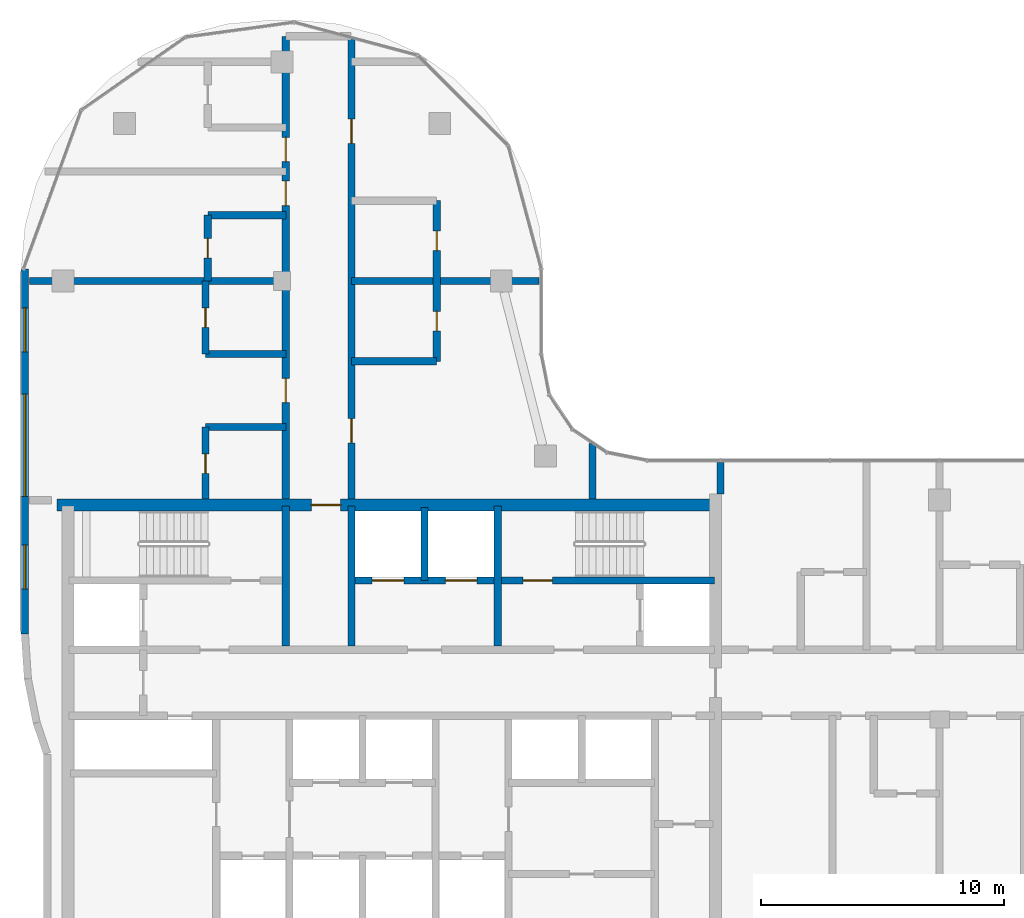
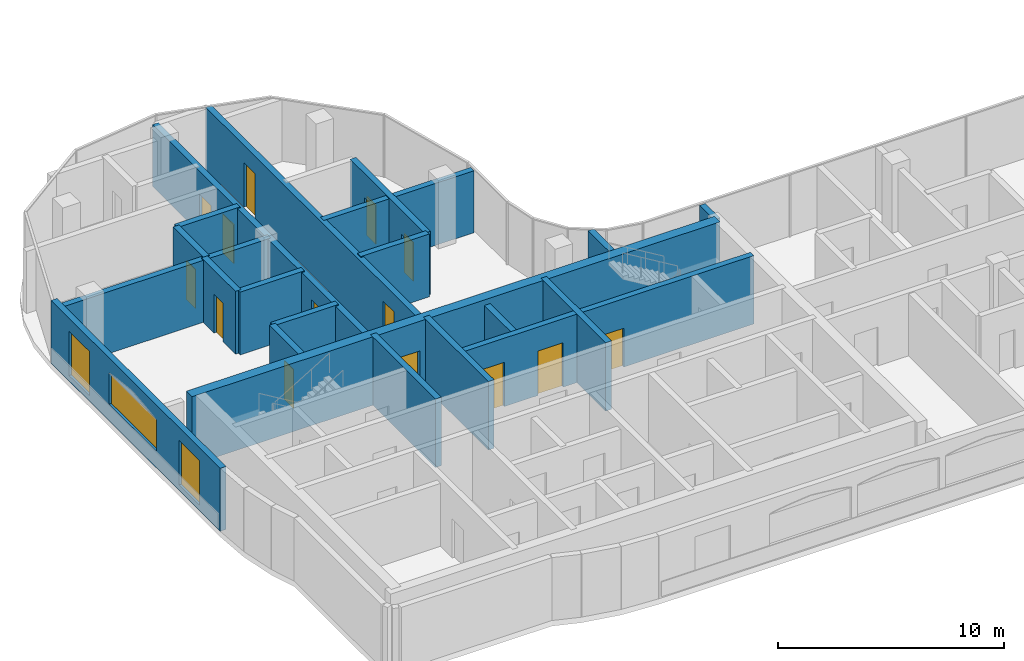
# One storey, part 10 of 19: 21 walls, 14 doors, 3 windows, 17 openings.
"""IFC4 building model written with IfcOpenShell, lengths in metres."""

from ifc_helpers import new_model, si_unit, direction, frame, frame_2d, origin, place, context, subcontext, project, spatial, rectangle, extrude, material, layer, layer_set, type_object, element, fill, save


model = new_model("IFC4")

# Units and contexts
model_context = context("Model", 3, precision=1e-05, world=origin(), true_north=direction((0.0, 1.0)))
body_context = subcontext(model_context, "Body", "Model", "MODEL_VIEW")
ifc_project = project(units=[si_unit("LENGTHUNIT", "METRE"), si_unit("AREAUNIT", "SQUARE_METRE"), si_unit("VOLUMEUNIT", "CUBIC_METRE"), si_unit("PLANEANGLEUNIT", "RADIAN"), si_unit("MASSUNIT", "GRAM", prefix="KILO")], contexts=[model_context])

# Site, building, storey
site_placement = place(None, origin())
site = spatial("IfcSite", under=ifc_project, at=site_placement, CompositionType="ELEMENT")
building_placement = place(site_placement, origin())
building = spatial("IfcBuilding", under=site, at=building_placement, Name="Ogive Portal Towers", CompositionType="ELEMENT")
storey_placement = place(building_placement, frame((0.0, 0.0, 203.199951171875)))
storey = spatial("IfcBuildingStorey", under=building, at=storey_placement, Name="L50", CompositionType="ELEMENT", Elevation=203.199951171875)

# Wall, openings, doors
ifc_material_1 = material(Name="Concrete C60/75", Category="concrete")
ifc_layer_1 = layer(ifc_material_1, 0.300048828125)
ifc_layer_set_1 = layer_set([ifc_layer_1], Name="CORE WALL 300 C60")
wall_type_1 = type_object("IfcWallType", Name="CORE WALL 300 C60", PredefinedType="SHEAR", material=ifc_layer_set_1)
wall_1_placement = place(storey_placement, frame((43.5, 36.199951171875, 0.0), z_axis=(0.0, 0.0, 1.0), x_axis=(1.0, 0.0, 0.0)))
wall_1 = element("IfcWall", 1, at=wall_1_placement, inside=storey, type_object=wall_type_1, Name="Core wall Y3b L50", PredefinedType="SHEAR", context=body_context, shape_type="SweptSolid", body=[
    extrude(rectangle(XDim=14.75, YDim=0.300048828125, at=frame_2d((7.375, 0.0))), origin(), (0.0, 0.0, 1.0), 3.699951171875),
])
opening_1_placement = place(wall_1_placement, frame((6.89990234375, 0.0, 0.0)))
opening_1 = element("IfcOpeningElement", 2, at=opening_1_placement, cuts=wall_1, Name="Opening D22-006", PredefinedType="OPENING", context=body_context, shape_type="SweptSolid", body=[
    extrude(rectangle(XDim=1.199951171875, YDim=2.10009765625, at=frame_2d((0.60009765625, 1.050048828125))), frame((0.0, 0.16015625, 0.0), z_axis=(0.0, -1.0, 0.0), x_axis=(1.0, 0.0, 0.0)), (0.0, 0.0, 1.0), 0.320068359375),
])
opening_2_placement = place(wall_1_placement, frame((0.699951171875, 0.0, 0.0)))
opening_2 = element("IfcOpeningElement", 3, at=opening_2_placement, cuts=wall_1, Name="Opening D22-017", PredefinedType="OPENING", context=body_context, shape_type="SweptSolid", body=[
    extrude(rectangle(XDim=1.300048828125, YDim=2.39990234375, at=frame_2d((0.64990234375, 1.199951171875))), frame((0.0, 0.16015625, 0.0), z_axis=(0.0, -1.0, 0.0), x_axis=(1.0, 0.0, 0.0)), (0.0, 0.0, 1.0), 0.320068359375),
])
opening_3_placement = place(wall_1_placement, frame((3.699951171875, 0.0, 0.0)))
opening_3 = element("IfcOpeningElement", 4, at=opening_3_placement, cuts=wall_1, Name="Opening D22-018", PredefinedType="OPENING", context=body_context, shape_type="SweptSolid", body=[
    extrude(rectangle(XDim=1.300048828125, YDim=2.39990234375, at=frame_2d((0.64990234375, 1.199951171875))), frame((0.0, 0.16015625, 0.0), z_axis=(0.0, -1.0, 0.0), x_axis=(1.0, 0.0, 0.0)), (0.0, 0.0, 1.0), 0.320068359375),
])
ifc_material_2 = material(Name="Stainless steel", Category="steel")
door_type_1 = type_object("IfcDoorType", Name="DT-LD-1300x2400", OperationType="SLIDING_TO_LEFT", PredefinedType="DOOR", material=ifc_material_2)
door_1_placement = place(opening_2_placement, origin())
door_1 = element("IfcDoor", 5, at=door_1_placement, inside=storey, type_object=door_type_1, Name="Door D22-017", OperationType="SLIDING_TO_LEFT", OverallHeight=2.39990234375, OverallWidth=1.300048828125, PredefinedType="DOOR", context=body_context, shape_type="SweptSolid", body=[
    extrude(rectangle(XDim=1.300048828125, YDim=2.39990234375, at=frame_2d((0.64990234375, 1.199951171875))), frame((0.0, 0.02490234375, 0.0), z_axis=(0.0, -1.0, 0.0), x_axis=(1.0, 0.0, 0.0)), (0.0, 0.0, 1.0), 0.050048828125),
])
fill(opening_2, door_1)
door_2_placement = place(opening_3_placement, origin())
door_2 = element("IfcDoor", 6, at=door_2_placement, inside=storey, type_object=door_type_1, Name="Door D22-018", OperationType="SLIDING_TO_LEFT", OverallHeight=2.39990234375, OverallWidth=1.300048828125, PredefinedType="DOOR", context=body_context, shape_type="SweptSolid", body=[
    extrude(rectangle(XDim=1.300048828125, YDim=2.39990234375, at=frame_2d((0.64990234375, 1.199951171875))), frame((0.0, 0.02490234375, 0.0), z_axis=(0.0, -1.0, 0.0), x_axis=(1.0, 0.0, 0.0)), (0.0, 0.0, 1.0), 0.050048828125),
])
fill(opening_3, door_2)
ifc_material_3 = material(Name="Steel fire door", Category="steel")
door_type_2 = type_object("IfcDoorType", Name="DT-SWING-1200x2100-FD90S", OperationType="SINGLE_SWING_LEFT", PredefinedType="DOOR", material=ifc_material_3)
door_3_placement = place(opening_1_placement, origin())
door_3 = element("IfcDoor", 7, at=door_3_placement, inside=storey, type_object=door_type_2, Name="Door D22-006", OperationType="SINGLE_SWING_LEFT", OverallHeight=2.10009765625, OverallWidth=1.199951171875, PredefinedType="DOOR", context=body_context, shape_type="SweptSolid", body=[
    extrude(rectangle(XDim=1.199951171875, YDim=2.10009765625, at=frame_2d((0.60009765625, 1.050048828125))), frame((0.0, 0.02490234375, 0.0), z_axis=(0.0, -1.0, 0.0), x_axis=(1.0, 0.0, 0.0)), (0.0, 0.0, 1.0), 0.050048828125),
])
fill(opening_1, door_3)

# Walls
for number, where, z_axis, x_axis, name in (
    (8, (40.64990234375, 33.5, 0.0), (0.0, 0.0, 1.0), (0.0, 1.0, 0.0), "Core wall X6 L50"),
    (9, (43.35009765625, 33.5, 0.0), (0.0, 0.0, 1.0), (0.0, 1.0, 0.0), "Core wall X7 L50"),
    (10, (49.35009765625, 33.5, 0.0), (0.0, 0.0, 1.0), (0.0, 1.0, 0.0), "Core wall X9 L50"),
):
    element("IfcWall", number, at=place(storey_placement, frame(where, z_axis=z_axis, x_axis=x_axis)), inside=storey, type_object=wall_type_1, Name=name, PredefinedType="SHEAR", context=body_context, shape_type="SweptSolid", body=[
        extrude(rectangle(XDim=5.75, YDim=0.300048828125, at=frame_2d((2.875, 0.0))), origin(), (0.0, 0.0, 1.0), 3.699951171875),
    ])

# Wall, opening, door
ifc_layer_2 = layer(ifc_material_1, 0.5)
ifc_layer_set_2 = layer_set([ifc_layer_2], Name="CORE WALL 500 C60")
wall_type_2 = type_object("IfcWallType", Name="CORE WALL 500 C60", PredefinedType="SHEAR", material=ifc_layer_set_2)
wall_2_placement = place(storey_placement, frame((31.25, 39.300048828125, 0.0), z_axis=(0.0, 0.0, 1.0), x_axis=(1.0, 0.0, 0.0)))
wall_2 = element("IfcWall", 11, at=wall_2_placement, inside=storey, type_object=wall_type_2, Name="Core wall N L50", PredefinedType="SHEAR", context=body_context, shape_type="SweptSolid", body=[
    extrude(rectangle(XDim=27.0, YDim=0.5, at=frame_2d((13.5, 0.0))), origin(), (0.0, 0.0, 1.0), 3.699951171875),
])
opening_4_placement = place(wall_2_placement, frame((10.449951171875, 0.0, 0.0)))
opening_4 = element("IfcOpeningElement", 12, at=opening_4_placement, cuts=wall_2, Name="Opening D22-012", PredefinedType="OPENING", context=body_context, shape_type="SweptSolid", body=[
    extrude(rectangle(XDim=1.199951171875, YDim=2.10009765625, at=frame_2d((0.60009765625, 1.050048828125))), frame((0.0, 0.260009765625, 0.0), z_axis=(0.0, -1.0, 0.0), x_axis=(1.0, 0.0, 0.0)), (0.0, 0.0, 1.0), 0.52001953125),
])
door_4_placement = place(opening_4_placement, origin())
door_4 = element("IfcDoor", 13, at=door_4_placement, inside=storey, type_object=door_type_2, Name="Door D22-012", OperationType="SINGLE_SWING_RIGHT", OverallHeight=2.10009765625, OverallWidth=1.199951171875, PredefinedType="DOOR", context=body_context, shape_type="SweptSolid", body=[
    extrude(rectangle(XDim=1.199951171875, YDim=2.10009765625, at=frame_2d((0.60009765625, 1.050048828125))), frame((0.0, 0.02490234375, 0.0), z_axis=(0.0, -1.0, 0.0), x_axis=(1.0, 0.0, 0.0)), (0.0, 0.0, 1.0), 0.050048828125),
])
fill(opening_4, door_4)

# Wall, openings, windows
ifc_material_4 = material(Name="Limestone cladding on lightweight block wall", Category="masonry")
ifc_layer_3 = layer(ifc_material_4, 0.300048828125)
ifc_layer_set_3 = layer_set([ifc_layer_3], Name="EXTERNAL WALL 300 STONE")
wall_type_3 = type_object("IfcWallType", Name="EXTERNAL WALL 300 STONE", PredefinedType="SOLIDWALL", material=ifc_layer_set_3)
wall_3_placement = place(storey_placement, frame((29.93505859375, 48.98583984375, 0.0), z_axis=(0.0, 0.0, 1.0), x_axis=(0.0, -1.0, 0.0)))
wall_3 = element("IfcWall", 14, at=wall_3_placement, inside=storey, type_object=wall_type_3, Name="A:L50:f25:r0:wall", PredefinedType="SOLIDWALL", context=body_context, shape_type="SweptSolid", body=[
    extrude(rectangle(XDim=14.97607421875, YDim=0.300048828125, at=frame_2d((7.488037109375, 0.0))), origin(), (0.0, 0.0, 1.0), 3.400146484375),
])
opening_5_placement = place(wall_3_placement, frame((1.593017578125, 0.0, 0.300048828125)))
opening_5 = element("IfcOpeningElement", 15, at=opening_5_placement, cuts=wall_3, Name="Opening WN10", PredefinedType="OPENING", context=body_context, shape_type="SweptSolid", body=[
    extrude(rectangle(XDim=1.800048828125, YDim=2.39990234375, at=frame_2d((0.89990234375, 1.199951171875))), frame((0.0, 0.16015625, 0.0), z_axis=(0.0, -1.0, 0.0), x_axis=(1.0, 0.0, 0.0)), (0.0, 0.0, 1.0), 0.320068359375),
])
opening_6_placement = place(wall_3_placement, frame((5.135986328125, 0.0, 0.89990234375)))
opening_6 = element("IfcOpeningElement", 16, at=opening_6_placement, cuts=wall_3, Name="Opening WN13", PredefinedType="OPENING", context=body_context, shape_type="SweptSolid", body=[
    extrude(rectangle(XDim=4.199951171875, YDim=1.699951171875, at=frame_2d((2.10009765625, 0.85009765625))), frame((0.0, 0.16015625, 0.0), z_axis=(0.0, -1.0, 0.0), x_axis=(1.0, 0.0, 0.0)), (0.0, 0.0, 1.0), 0.320068359375),
])
opening_7_placement = place(wall_3_placement, frame((11.3310546875, 0.0, 0.300048828125)))
opening_7 = element("IfcOpeningElement", 17, at=opening_7_placement, cuts=wall_3, Name="Opening WN10", PredefinedType="OPENING", context=body_context, shape_type="SweptSolid", body=[
    extrude(rectangle(XDim=1.800048828125, YDim=2.39990234375, at=frame_2d((0.89990234375, 1.199951171875))), frame((0.0, 0.16015625, 0.0), z_axis=(0.0, -1.0, 0.0), x_axis=(1.0, 0.0, 0.0)), (0.0, 0.0, 1.0), 0.320068359375),
])
ifc_material_5 = material(Name="Glass, clear low-iron insulated glazing", Category="glass")
window_type_1 = type_object("IfcWindowType", Name="WINDOW RIBBON LANCET 4200x1700", PartitioningType="TRIPLE_PANEL_VERTICAL", PredefinedType="WINDOW", material=ifc_material_5)
window_1_placement = place(opening_6_placement, origin())
window_1 = element("IfcWindow", 18, at=window_1_placement, inside=storey, type_object=window_type_1, Name="A:L50:f25:r0:w1", OverallHeight=1.699951171875, OverallWidth=4.199951171875, PartitioningType="SINGLE_PANEL", PredefinedType="WINDOW", context=body_context, shape_type="SweptSolid", body=[
    extrude(rectangle(XDim=4.199951171875, YDim=1.699951171875, at=frame_2d((2.10009765625, 0.85009765625))), frame((0.0, 0.030029296875, 0.0), z_axis=(0.0, -1.0, 0.0), x_axis=(1.0, 0.0, 0.0)), (0.0, 0.0, 1.0), 0.06005859375),
])
fill(opening_6, window_1)
window_type_2 = type_object("IfcWindowType", Name="WINDOW SUITE CORNER 1800x2400", PartitioningType="DOUBLE_PANEL_VERTICAL", PredefinedType="WINDOW", material=ifc_material_5)
window_2_placement = place(opening_5_placement, origin())
window_2 = element("IfcWindow", 19, at=window_2_placement, inside=storey, type_object=window_type_2, Name="A:L50:f25:r0:w0", OverallHeight=2.39990234375, OverallWidth=1.800048828125, PartitioningType="SINGLE_PANEL", PredefinedType="WINDOW", context=body_context, shape_type="SweptSolid", body=[
    extrude(rectangle(XDim=1.800048828125, YDim=2.39990234375, at=frame_2d((0.89990234375, 1.199951171875))), frame((0.0, 0.030029296875, 0.0), z_axis=(0.0, -1.0, 0.0), x_axis=(1.0, 0.0, 0.0)), (0.0, 0.0, 1.0), 0.06005859375),
])
fill(opening_5, window_2)
window_3_placement = place(opening_7_placement, origin())
window_3 = element("IfcWindow", 20, at=window_3_placement, inside=storey, type_object=window_type_2, Name="A:L50:f25:r0:w2", OverallHeight=2.39990234375, OverallWidth=1.800048828125, PartitioningType="SINGLE_PANEL", PredefinedType="WINDOW", context=body_context, shape_type="SweptSolid", body=[
    extrude(rectangle(XDim=1.800048828125, YDim=2.39990234375, at=frame_2d((0.89990234375, 1.199951171875))), frame((0.0, 0.030029296875, 0.0), z_axis=(0.0, -1.0, 0.0), x_axis=(1.0, 0.0, 0.0)), (0.0, 0.0, 1.0), 0.06005859375),
])
fill(opening_7, window_3)

# Walls
ifc_material_6 = material(Name="Gypsum board partition on steel studs", Category="steel")
ifc_layer_4 = layer(ifc_material_6, 0.300048828125)
ifc_layer_set_4 = layer_set([ifc_layer_4], Name="WT-PART-300-EI 60")
wall_type_4 = type_object("IfcWallType", Name="WT-PART-300-EI 60", PredefinedType="PARTITIONING", material=ifc_layer_set_4)
wall_4_placement = place(storey_placement, frame((37.35009765625, 42.5, 0.0), z_axis=(0.0, 0.0, 1.0), x_axis=(1.0, 0.0, 0.0)))
element("IfcWall", 21, at=wall_4_placement, inside=storey, type_object=wall_type_4, Name="Wall L50:w014", PredefinedType="PARTITIONING", context=body_context, shape_type="SweptSolid", body=[
    extrude(rectangle(XDim=3.2998046875, YDim=0.300048828125, at=frame_2d((1.64990234375, 0.0))), origin(), (0.0, 0.0, 1.0), 3.400146484375),
])
wall_5_placement = place(storey_placement, frame((43.35009765625, 45.199951171875, 0.0), z_axis=(0.0, 0.0, 1.0), x_axis=(1.0, 0.0, 0.0)))
element("IfcWall", 22, at=wall_5_placement, inside=storey, type_object=wall_type_4, Name="Wall L50:w015", PredefinedType="PARTITIONING", context=body_context, shape_type="SweptSolid", body=[
    extrude(rectangle(XDim=3.5, YDim=0.300048828125, at=frame_2d((1.75, 0.0))), origin(), (0.0, 0.0, 1.0), 3.400146484375),
])
wall_6_placement = place(storey_placement, frame((37.35009765625, 45.5, 0.0), z_axis=(0.0, 0.0, 1.0), x_axis=(1.0, 0.0, 0.0)))
element("IfcWall", 23, at=wall_6_placement, inside=storey, type_object=wall_type_4, Name="Wall L50:w016", PredefinedType="PARTITIONING", context=body_context, shape_type="SweptSolid", body=[
    extrude(rectangle(XDim=3.2998046875, YDim=0.300048828125, at=frame_2d((1.64990234375, 0.0))), origin(), (0.0, 0.0, 1.0), 3.400146484375),
])
wall_7_placement = place(storey_placement, frame((30.135009765625, 48.5, 0.0), z_axis=(0.0, 0.0, 1.0), x_axis=(1.0, 0.0, 0.0)))
element("IfcWall", 24, at=wall_7_placement, inside=storey, type_object=wall_type_4, Name="Wall L50:w017", PredefinedType="PARTITIONING", context=body_context, shape_type="SweptSolid", body=[
    extrude(rectangle(XDim=10.514892578125, YDim=0.300048828125, at=frame_2d((5.25732421875, 0.0))), origin(), (0.0, 0.0, 1.0), 3.35009765625),
])
wall_8_placement = place(storey_placement, frame((43.35009765625, 48.5, 0.0), z_axis=(0.0, 0.0, 1.0), x_axis=(1.0, 0.0, 0.0)))
element("IfcWall", 25, at=wall_8_placement, inside=storey, type_object=wall_type_4, Name="Wall L50:w018", PredefinedType="PARTITIONING", context=body_context, shape_type="SweptSolid", body=[
    extrude(rectangle(XDim=7.69482421875, YDim=0.300048828125, at=frame_2d((3.847412109375, 0.0))), origin(), (0.0, 0.0, 1.0), 3.35009765625),
])
wall_9_placement = place(storey_placement, frame((37.449951171875, 51.199951171875, 0.0), z_axis=(0.0, 0.0, 1.0), x_axis=(1.0, 0.0, 0.0)))
element("IfcWall", 26, at=wall_9_placement, inside=storey, type_object=wall_type_4, Name="Wall L50:w019", PredefinedType="PARTITIONING", context=body_context, shape_type="SweptSolid", body=[
    extrude(rectangle(XDim=3.199951171875, YDim=0.300048828125, at=frame_2d((1.60009765625, 0.0))), origin(), (0.0, 0.0, 1.0), 3.400146484375),
])

# Wall, opening, door
wall_10_placement = place(storey_placement, frame((37.35009765625, 39.550048828125, 0.0), z_axis=(0.0, 0.0, 1.0), x_axis=(0.0, 1.0, 0.0)))
wall_10 = element("IfcWall", 27, at=wall_10_placement, inside=storey, type_object=wall_type_4, Name="Wall L50:w026", PredefinedType="PARTITIONING", context=body_context, shape_type="SweptSolid", body=[
    extrude(rectangle(XDim=2.949951171875, YDim=0.300048828125, at=frame_2d((1.47509765625, 0.0))), origin(), (0.0, 0.0, 1.0), 3.400146484375),
])
opening_8_placement = place(wall_10_placement, frame((1.050048828125, 0.0, 0.0)))
opening_8 = element("IfcOpeningElement", 28, at=opening_8_placement, cuts=wall_10, Name="Opening D22-044", PredefinedType="OPENING", context=body_context, shape_type="SweptSolid", body=[
    extrude(rectangle(XDim=0.800048828125, YDim=2.10009765625, at=frame_2d((0.39990234375, 1.050048828125))), frame((0.0, 0.16015625, 0.0), z_axis=(0.0, -1.0, 0.0), x_axis=(1.0, 0.0, 0.0)), (0.0, 0.0, 1.0), 0.320068359375),
])
door_type_3 = type_object("IfcDoorType", Name="DT-BATH-800x2100-FD60S", OperationType="SINGLE_SWING_LEFT", PredefinedType="DOOR", material=ifc_material_3)
door_5_placement = place(opening_8_placement, origin())
door_5 = element("IfcDoor", 29, at=door_5_placement, inside=storey, type_object=door_type_3, Name="Door D22-044", OperationType="SINGLE_SWING_LEFT", OverallHeight=2.10009765625, OverallWidth=0.800048828125, PredefinedType="DOOR", context=body_context, shape_type="SweptSolid", body=[
    extrude(rectangle(XDim=0.800048828125, YDim=2.10009765625, at=frame_2d((0.39990234375, 1.050048828125))), frame((0.0, 0.02490234375, 0.0), z_axis=(0.0, -1.0, 0.0), x_axis=(1.0, 0.0, 0.0)), (0.0, 0.0, 1.0), 0.050048828125),
])
fill(opening_8, door_5)

wall_11_placement = place(storey_placement, frame((37.35009765625, 45.5, 0.0), z_axis=(0.0, 0.0, 1.0), x_axis=(0.0, 1.0, 0.0)))
wall_11 = element("IfcWall", 30, at=wall_11_placement, inside=storey, type_object=wall_type_4, Name="Wall L50:w027", PredefinedType="PARTITIONING", context=body_context, shape_type="SweptSolid", body=[
    extrude(rectangle(XDim=3.0, YDim=0.300048828125, at=frame_2d((1.5, 0.0))), origin(), (0.0, 0.0, 1.0), 3.400146484375),
])
opening_9_placement = place(wall_11_placement, frame((1.10009765625, 0.0, 0.0)))
opening_9 = element("IfcOpeningElement", 31, at=opening_9_placement, cuts=wall_11, Name="Opening D22-045", PredefinedType="OPENING", context=body_context, shape_type="SweptSolid", body=[
    extrude(rectangle(XDim=0.800048828125, YDim=2.10009765625, at=frame_2d((0.39990234375, 1.050048828125))), frame((0.0, 0.16015625, 0.0), z_axis=(0.0, -1.0, 0.0), x_axis=(1.0, 0.0, 0.0)), (0.0, 0.0, 1.0), 0.320068359375),
])
door_6_placement = place(opening_9_placement, origin())
door_6 = element("IfcDoor", 32, at=door_6_placement, inside=storey, type_object=door_type_3, Name="Door D22-045", OperationType="SINGLE_SWING_RIGHT", OverallHeight=2.10009765625, OverallWidth=0.800048828125, PredefinedType="DOOR", context=body_context, shape_type="SweptSolid", body=[
    extrude(rectangle(XDim=0.800048828125, YDim=2.10009765625, at=frame_2d((0.39990234375, 1.050048828125))), frame((0.0, 0.02490234375, 0.0), z_axis=(0.0, -1.0, 0.0), x_axis=(1.0, 0.0, 0.0)), (0.0, 0.0, 1.0), 0.050048828125),
])
fill(opening_9, door_6)

wall_12_placement = place(storey_placement, frame((37.449951171875, 48.5, 0.0), z_axis=(0.0, 0.0, 1.0), x_axis=(0.0, 1.0, 0.0)))
wall_12 = element("IfcWall", 33, at=wall_12_placement, inside=storey, type_object=wall_type_4, Name="Wall L50:w028", PredefinedType="PARTITIONING", context=body_context, shape_type="SweptSolid", body=[
    extrude(rectangle(XDim=2.699951171875, YDim=0.300048828125, at=frame_2d((1.35009765625, 0.0))), origin(), (0.0, 0.0, 1.0), 3.400146484375),
])
opening_10_placement = place(wall_12_placement, frame((0.949951171875, 0.0, 0.0)))
opening_10 = element("IfcOpeningElement", 34, at=opening_10_placement, cuts=wall_12, Name="Opening D22-049", PredefinedType="OPENING", context=body_context, shape_type="SweptSolid", body=[
    extrude(rectangle(XDim=0.800048828125, YDim=2.10009765625, at=frame_2d((0.39990234375, 1.050048828125))), frame((0.0, 0.16015625, 0.0), z_axis=(0.0, -1.0, 0.0), x_axis=(1.0, 0.0, 0.0)), (0.0, 0.0, 1.0), 0.320068359375),
])
door_7_placement = place(opening_10_placement, origin())
door_7 = element("IfcDoor", 35, at=door_7_placement, inside=storey, type_object=door_type_3, Name="Door D22-049", OperationType="SINGLE_SWING_LEFT", OverallHeight=2.10009765625, OverallWidth=0.800048828125, PredefinedType="DOOR", context=body_context, shape_type="SweptSolid", body=[
    extrude(rectangle(XDim=0.800048828125, YDim=2.10009765625, at=frame_2d((0.39990234375, 1.050048828125))), frame((0.0, 0.02490234375, 0.0), z_axis=(0.0, -1.0, 0.0), x_axis=(1.0, 0.0, 0.0)), (0.0, 0.0, 1.0), 0.050048828125),
])
fill(opening_10, door_7)

# Wall, openings, doors
wall_13_placement = place(storey_placement, frame((40.64990234375, 39.550048828125, 0.0), z_axis=(0.0, 0.0, 1.0), x_axis=(0.0, 1.0, 0.0)))
wall_13 = element("IfcWall", 36, at=wall_13_placement, inside=storey, type_object=wall_type_4, Name="Wall L50:w030", PredefinedType="PARTITIONING", context=body_context, shape_type="SweptSolid", body=[
    extrude(rectangle(XDim=19.0, YDim=0.300048828125, at=frame_2d((9.5, 0.0))), origin(), (0.0, 0.0, 1.0), 3.35009765625),
])
opening_11_placement = place(wall_13_placement, frame((3.949951171875, 0.0, 0.0)))
opening_11 = element("IfcOpeningElement", 37, at=opening_11_placement, cuts=wall_13, Name="Opening D22-046", PredefinedType="OPENING", context=body_context, shape_type="SweptSolid", body=[
    extrude(rectangle(XDim=1.0, YDim=2.39990234375, at=frame_2d((0.5, 1.199951171875))), frame((0.0, 0.16015625, 0.0), z_axis=(0.0, -1.0, 0.0), x_axis=(1.0, 0.0, 0.0)), (0.0, 0.0, 1.0), 0.320068359375),
])
opening_12_placement = place(wall_13_placement, frame((12.050048828125, 0.0, 0.0)))
opening_12 = element("IfcOpeningElement", 38, at=opening_12_placement, cuts=wall_13, Name="Opening D22-050", PredefinedType="OPENING", context=body_context, shape_type="SweptSolid", body=[
    extrude(rectangle(XDim=1.0, YDim=2.10009765625, at=frame_2d((0.5, 1.050048828125))), frame((0.0, 0.16015625, 0.0), z_axis=(0.0, -1.0, 0.0), x_axis=(1.0, 0.0, 0.0)), (0.0, 0.0, 1.0), 0.320068359375),
])
opening_13_placement = place(wall_13_placement, frame((13.85009765625, 0.0, 0.0)))
opening_13 = element("IfcOpeningElement", 39, at=opening_13_placement, cuts=wall_13, Name="Opening D22-052", PredefinedType="OPENING", context=body_context, shape_type="SweptSolid", body=[
    extrude(rectangle(XDim=1.0, YDim=2.10009765625, at=frame_2d((0.5, 1.050048828125))), frame((0.0, 0.16015625, 0.0), z_axis=(0.0, -1.0, 0.0), x_axis=(1.0, 0.0, 0.0)), (0.0, 0.0, 1.0), 0.320068359375),
])
door_type_4 = type_object("IfcDoorType", Name="DT-ENTRY-1000x2100-FD60S", OperationType="SINGLE_SWING_LEFT", PredefinedType="DOOR", material=ifc_material_3)
door_8_placement = place(opening_12_placement, origin())
door_8 = element("IfcDoor", 40, at=door_8_placement, inside=storey, type_object=door_type_4, Name="Door D22-050", OperationType="SINGLE_SWING_RIGHT", OverallHeight=2.10009765625, OverallWidth=1.0, PredefinedType="DOOR", context=body_context, shape_type="SweptSolid", body=[
    extrude(rectangle(XDim=1.0, YDim=2.10009765625, at=frame_2d((0.5, 1.050048828125))), frame((0.0, 0.02490234375, 0.0), z_axis=(0.0, -1.0, 0.0), x_axis=(1.0, 0.0, 0.0)), (0.0, 0.0, 1.0), 0.050048828125),
])
fill(opening_12, door_8)
door_9_placement = place(opening_13_placement, origin())
door_9 = element("IfcDoor", 41, at=door_9_placement, inside=storey, type_object=door_type_4, Name="Door D22-052", OperationType="SINGLE_SWING_LEFT", OverallHeight=2.10009765625, OverallWidth=1.0, PredefinedType="DOOR", context=body_context, shape_type="SweptSolid", body=[
    extrude(rectangle(XDim=1.0, YDim=2.10009765625, at=frame_2d((0.5, 1.050048828125))), frame((0.0, 0.02490234375, 0.0), z_axis=(0.0, -1.0, 0.0), x_axis=(1.0, 0.0, 0.0)), (0.0, 0.0, 1.0), 0.050048828125),
])
fill(opening_13, door_9)
door_type_5 = type_object("IfcDoorType", Name="DT-ENTRY-1000x2400-FD60S", OperationType="SINGLE_SWING_LEFT", PredefinedType="DOOR", material=ifc_material_3)
door_10_placement = place(opening_11_placement, origin())
door_10 = element("IfcDoor", 42, at=door_10_placement, inside=storey, type_object=door_type_5, Name="Door D22-046", OperationType="SINGLE_SWING_LEFT", OverallHeight=2.39990234375, OverallWidth=1.0, PredefinedType="DOOR", context=body_context, shape_type="SweptSolid", body=[
    extrude(rectangle(XDim=1.0, YDim=2.39990234375, at=frame_2d((0.5, 1.199951171875))), frame((0.0, 0.02490234375, 0.0), z_axis=(0.0, -1.0, 0.0), x_axis=(1.0, 0.0, 0.0)), (0.0, 0.0, 1.0), 0.050048828125),
])
fill(opening_11, door_10)

wall_14_placement = place(storey_placement, frame((43.35009765625, 39.550048828125, 0.0), z_axis=(0.0, 0.0, 1.0), x_axis=(0.0, 1.0, 0.0)))
wall_14 = element("IfcWall", 43, at=wall_14_placement, inside=storey, type_object=wall_type_4, Name="Wall L50:w031", PredefinedType="PARTITIONING", context=body_context, shape_type="SweptSolid", body=[
    extrude(rectangle(XDim=18.992919921875, YDim=0.300048828125, at=frame_2d((9.49658203125, 0.0))), origin(), (0.0, 0.0, 1.0), 3.35009765625),
])
opening_14_placement = place(wall_14_placement, frame((2.300048828125, 0.0, 0.0)))
opening_14 = element("IfcOpeningElement", 44, at=opening_14_placement, cuts=wall_14, Name="Opening D22-043", PredefinedType="OPENING", context=body_context, shape_type="SweptSolid", body=[
    extrude(rectangle(XDim=1.0, YDim=2.39990234375, at=frame_2d((0.5, 1.199951171875))), frame((0.0, 0.16015625, 0.0), z_axis=(0.0, -1.0, 0.0), x_axis=(1.0, 0.0, 0.0)), (0.0, 0.0, 1.0), 0.320068359375),
])
opening_15_placement = place(wall_14_placement, frame((14.60009765625, 0.0, 0.0)))
opening_15 = element("IfcOpeningElement", 45, at=opening_15_placement, cuts=wall_14, Name="Opening D22-048", PredefinedType="OPENING", context=body_context, shape_type="SweptSolid", body=[
    extrude(rectangle(XDim=1.0, YDim=2.39990234375, at=frame_2d((0.5, 1.199951171875))), frame((0.0, 0.16015625, 0.0), z_axis=(0.0, -1.0, 0.0), x_axis=(1.0, 0.0, 0.0)), (0.0, 0.0, 1.0), 0.320068359375),
])
door_11_placement = place(opening_14_placement, origin())
door_11 = element("IfcDoor", 46, at=door_11_placement, inside=storey, type_object=door_type_5, Name="Door D22-043", OperationType="SINGLE_SWING_LEFT", OverallHeight=2.39990234375, OverallWidth=1.0, PredefinedType="DOOR", context=body_context, shape_type="SweptSolid", body=[
    extrude(rectangle(XDim=1.0, YDim=2.39990234375, at=frame_2d((0.5, 1.199951171875))), frame((0.0, 0.02490234375, 0.0), z_axis=(0.0, -1.0, 0.0), x_axis=(1.0, 0.0, 0.0)), (0.0, 0.0, 1.0), 0.050048828125),
])
fill(opening_14, door_11)
door_12_placement = place(opening_15_placement, origin())
door_12 = element("IfcDoor", 47, at=door_12_placement, inside=storey, type_object=door_type_5, Name="Door D22-048", OperationType="SINGLE_SWING_LEFT", OverallHeight=2.39990234375, OverallWidth=1.0, PredefinedType="DOOR", context=body_context, shape_type="SweptSolid", body=[
    extrude(rectangle(XDim=1.0, YDim=2.39990234375, at=frame_2d((0.5, 1.199951171875))), frame((0.0, 0.02490234375, 0.0), z_axis=(0.0, -1.0, 0.0), x_axis=(1.0, 0.0, 0.0)), (0.0, 0.0, 1.0), 0.050048828125),
])
fill(opening_15, door_12)

wall_15_placement = place(storey_placement, frame((46.85009765625, 45.199951171875, 0.0), z_axis=(0.0, 0.0, 1.0), x_axis=(0.0, 1.0, 0.0)))
wall_15 = element("IfcWall", 48, at=wall_15_placement, inside=storey, type_object=wall_type_4, Name="Wall L50:w032", PredefinedType="PARTITIONING", context=body_context, shape_type="SweptSolid", body=[
    extrude(rectangle(XDim=6.60009765625, YDim=0.300048828125, at=frame_2d((3.300048828125, 0.0))), origin(), (0.0, 0.0, 1.0), 3.400146484375),
])
opening_16_placement = place(wall_15_placement, frame((1.25, 0.0, 0.0)))
opening_16 = element("IfcOpeningElement", 49, at=opening_16_placement, cuts=wall_15, Name="Opening D22-042", PredefinedType="OPENING", context=body_context, shape_type="SweptSolid", body=[
    extrude(rectangle(XDim=0.800048828125, YDim=2.10009765625, at=frame_2d((0.39990234375, 1.050048828125))), frame((0.0, 0.16015625, 0.0), z_axis=(0.0, -1.0, 0.0), x_axis=(1.0, 0.0, 0.0)), (0.0, 0.0, 1.0), 0.320068359375),
])
opening_17_placement = place(wall_15_placement, frame((4.550048828125, 0.0, 0.0)))
opening_17 = element("IfcOpeningElement", 50, at=opening_17_placement, cuts=wall_15, Name="Opening D22-047", PredefinedType="OPENING", context=body_context, shape_type="SweptSolid", body=[
    extrude(rectangle(XDim=0.800048828125, YDim=2.10009765625, at=frame_2d((0.39990234375, 1.050048828125))), frame((0.0, 0.16015625, 0.0), z_axis=(0.0, -1.0, 0.0), x_axis=(1.0, 0.0, 0.0)), (0.0, 0.0, 1.0), 0.320068359375),
])
door_13_placement = place(opening_16_placement, origin())
door_13 = element("IfcDoor", 51, at=door_13_placement, inside=storey, type_object=door_type_3, Name="Door D22-042", OperationType="SINGLE_SWING_RIGHT", OverallHeight=2.10009765625, OverallWidth=0.800048828125, PredefinedType="DOOR", context=body_context, shape_type="SweptSolid", body=[
    extrude(rectangle(XDim=0.800048828125, YDim=2.10009765625, at=frame_2d((0.39990234375, 1.050048828125))), frame((0.0, 0.02490234375, 0.0), z_axis=(0.0, -1.0, 0.0), x_axis=(1.0, 0.0, 0.0)), (0.0, 0.0, 1.0), 0.050048828125),
])
fill(opening_16, door_13)
door_14_placement = place(opening_17_placement, origin())
door_14 = element("IfcDoor", 52, at=door_14_placement, inside=storey, type_object=door_type_3, Name="Door D22-047", OperationType="SINGLE_SWING_LEFT", OverallHeight=2.10009765625, OverallWidth=0.800048828125, PredefinedType="DOOR", context=body_context, shape_type="SweptSolid", body=[
    extrude(rectangle(XDim=0.800048828125, YDim=2.10009765625, at=frame_2d((0.39990234375, 1.050048828125))), frame((0.0, 0.02490234375, 0.0), z_axis=(0.0, -1.0, 0.0), x_axis=(1.0, 0.0, 0.0)), (0.0, 0.0, 1.0), 0.050048828125),
])
fill(opening_17, door_14)

# Walls
wall_16_placement = place(storey_placement, frame((53.25, 39.550048828125, 0.0), z_axis=(0.0, 0.0, 1.0), x_axis=(0.0, 1.0, 0.0)))
element("IfcWall", 53, at=wall_16_placement, inside=storey, type_object=wall_type_4, Name="Wall L50:w033", PredefinedType="PARTITIONING", context=body_context, shape_type="SweptSolid", body=[
    extrude(rectangle(XDim=2.26904296875, YDim=0.300048828125, at=frame_2d((1.134521484375, 0.0))), origin(), (0.0, 0.0, 1.0), 3.35009765625),
])
wall_17_placement = place(storey_placement, frame((58.5, 39.75, 0.0), z_axis=(0.0, 0.0, 1.0), x_axis=(0.0, 1.0, 0.0)))
element("IfcWall", 54, at=wall_17_placement, inside=storey, type_object=wall_type_4, Name="Wall L50:w035", PredefinedType="PARTITIONING", context=body_context, shape_type="SweptSolid", body=[
    extrude(rectangle(XDim=1.294921875, YDim=0.300048828125, at=frame_2d((0.6474609375, 0.0))), origin(), (0.0, 0.0, 1.0), 3.35009765625),
])
ifc_material_7 = material(Name="Concrete C40/50", Category="concrete")
ifc_layer_5 = layer(ifc_material_7, 0.300048828125)
ifc_layer_set_5 = layer_set([ifc_layer_5], Name="WT-SHAFT-300")
wall_type_5 = type_object("IfcWallType", Name="WT-SHAFT-300", PredefinedType="SOLIDWALL", material=ifc_layer_set_5)
wall_18_placement = place(storey_placement, frame((46.35009765625, 36.199951171875, 0.0), z_axis=(0.0, 0.0, 1.0), x_axis=(0.0, 1.0, 0.0)))
element("IfcWall", 55, at=wall_18_placement, inside=storey, type_object=wall_type_5, Name="Wall pw:010:L50", PredefinedType="SOLIDWALL", context=body_context, shape_type="SweptSolid", body=[
    extrude(rectangle(XDim=3.0, YDim=0.300048828125, at=frame_2d((1.5, 0.0))), origin(), (0.0, 0.0, 1.0), 3.400146484375),
])

save(model, "model.ifc")
